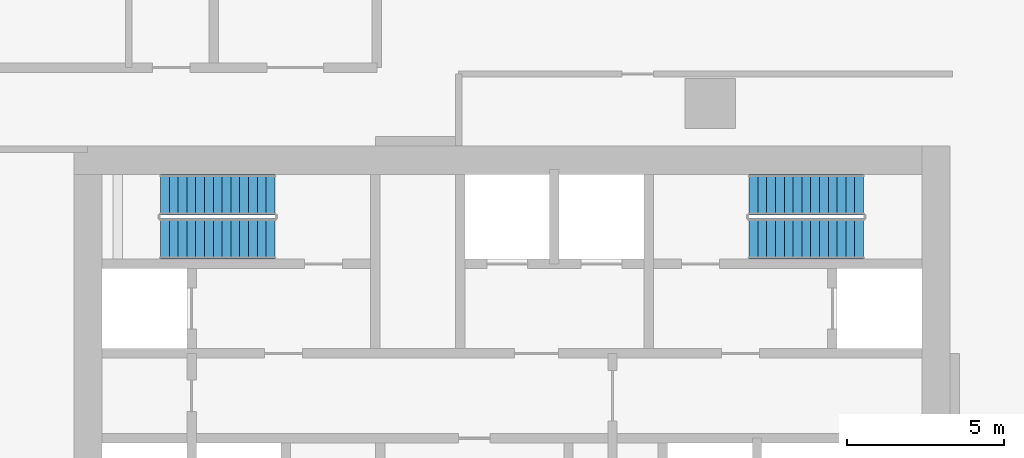
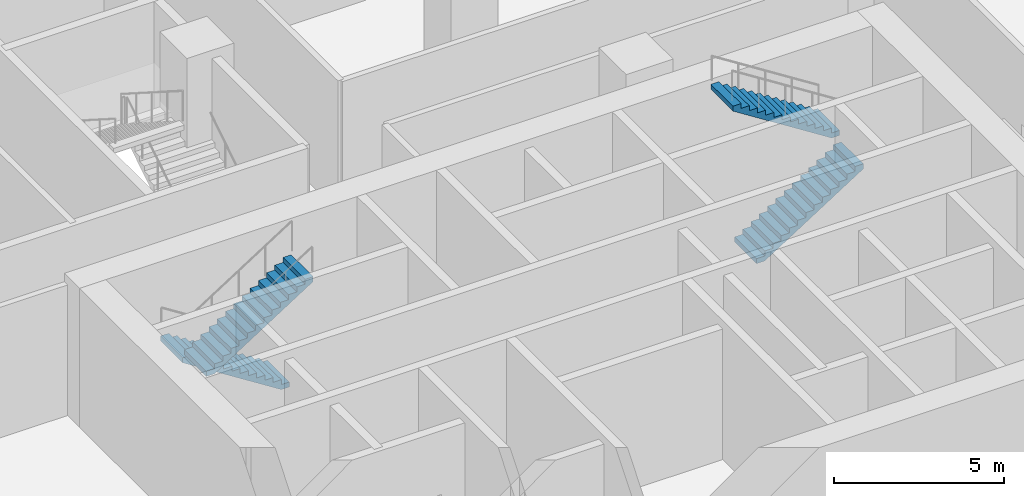
# One storey, part 17 of 35: 4 stair flights, 2 elements without a shape of their own.
"""IFC4 building model written with IfcOpenShell, lengths in metres."""

from ifc_helpers import new_model, si_unit, direction, frame, origin, place, context, subcontext, project, spatial, triangles, source, transform, mapped, material, type_object, element, aggregate, save


model = new_model("IFC4")

# Units and contexts
model_context = context("Model", 3, precision=1e-05, world=origin(), true_north=direction((0.0, 1.0)))
body_context = subcontext(model_context, "Body", "Model", "MODEL_VIEW")
ifc_project = project(units=[si_unit("LENGTHUNIT", "METRE"), si_unit("AREAUNIT", "SQUARE_METRE"), si_unit("VOLUMEUNIT", "CUBIC_METRE"), si_unit("PLANEANGLEUNIT", "RADIAN"), si_unit("MASSUNIT", "GRAM", prefix="KILO")], contexts=[model_context])

# Site, building, storey
site_placement = place(None, origin())
site = spatial("IfcSite", under=ifc_project, at=site_placement, CompositionType="ELEMENT")
building_placement = place(site_placement, origin())
building = spatial("IfcBuilding", under=site, at=building_placement, Name="Ogive Portal Towers", CompositionType="ELEMENT")
storey_placement = place(building_placement, frame((0.0, 0.0, 18.5)))
storey = spatial("IfcBuildingStorey", under=building, at=storey_placement, Name="L03", CompositionType="ELEMENT", Elevation=18.5)

# Stair, stair flights
ifc_material = material(Name="Concrete C40/50", Category="concrete")
stair_type = type_object("IfcStairType", Name="INT-STAIR", PredefinedType="HALF_TURN_STAIR", material=ifc_material)
stair_1_placement = place(storey_placement, origin())
stair_1 = element("IfcStair", 1, at=stair_1_placement, inside=storey, type_object=stair_type, Name="L03 Exit Stair ST-A1", PredefinedType="HALF_TURN_STAIR")
stair_flight_type = type_object("IfcStairFlightType", Name="INT-FLIGHT", PredefinedType="STRAIGHT", material=ifc_material)
shared_shape = source(origin(), body_context, "Body", "Tessellation", [
    triangles([(0.0, -0.650146484375, 0.0), (0.0, -0.376220703125, 0.0), (0.0, -0.192626953125, 0.0), (0.0, -0.081298828125, 0.0), (0.0, -0.024169921875, 0.0), (0.0, -0.003173828125, 0.0), (0.0, 0.0, 0.0), (0.0, 0.0029296875, 0.0), (0.0, 0.02392578125, 0.0), (0.0, 0.0810546875, 0.0), (0.0, 0.1923828125, 0.0), (0.0, 0.3759765625, 0.0), (0.0, 0.64990234375, 0.0), (0.0, -0.650146484375, 0.178466796875), (0.0, -0.376220703125, 0.178466796875), (0.0, -0.192626953125, 0.178466796875), (0.0, -0.081298828125, 0.178466796875), (0.0, -0.024169921875, 0.178466796875), (0.0, -0.003173828125, 0.178466796875), (0.0, 0.0, 0.178466796875), (0.0, 0.0029296875, 0.178466796875), (0.0, 0.02392578125, 0.178466796875), (0.0, 0.0810546875, 0.178466796875), (0.0, 0.1923828125, 0.178466796875), (0.0, 0.3759765625, 0.178466796875), (0.0, 0.64990234375, 0.178466796875), (0.280029296875, -0.650146484375, 0.178466796875), (0.280029296875, -0.376220703125, 0.178466796875), (0.280029296875, -0.192626953125, 0.178466796875), (0.280029296875, -0.081298828125, 0.178466796875), (0.280029296875, -0.024169921875, 0.178466796875), (0.280029296875, -0.003173828125, 0.178466796875), (0.280029296875, 0.0, 0.178466796875), (0.280029296875, 0.0029296875, 0.178466796875), (0.280029296875, 0.02392578125, 0.178466796875), (0.280029296875, 0.0810546875, 0.178466796875), (0.280029296875, 0.1923828125, 0.178466796875), (0.280029296875, 0.3759765625, 0.178466796875), (0.280029296875, 0.64990234375, 0.178466796875), (0.280029296875, -0.650146484375, 0.357177734375), (0.280029296875, -0.376220703125, 0.357177734375), (0.280029296875, -0.192626953125, 0.357177734375), (0.280029296875, -0.081298828125, 0.357177734375), (0.280029296875, -0.024169921875, 0.357177734375), (0.280029296875, -0.003173828125, 0.357177734375), (0.280029296875, 0.0, 0.357177734375), (0.280029296875, 0.0029296875, 0.357177734375), (0.280029296875, 0.02392578125, 0.357177734375), (0.280029296875, 0.0810546875, 0.357177734375), (0.280029296875, 0.1923828125, 0.357177734375), (0.280029296875, 0.3759765625, 0.357177734375), (0.280029296875, 0.64990234375, 0.357177734375), (0.56005859375, -0.650146484375, 0.357177734375), (0.56005859375, -0.376220703125, 0.357177734375), (0.56005859375, -0.192626953125, 0.357177734375), (0.56005859375, -0.081298828125, 0.357177734375), (0.56005859375, -0.024169921875, 0.357177734375), (0.56005859375, -0.003173828125, 0.357177734375), (0.56005859375, 0.0, 0.357177734375), (0.56005859375, 0.0029296875, 0.357177734375), (0.56005859375, 0.02392578125, 0.357177734375), (0.56005859375, 0.0810546875, 0.357177734375), (0.56005859375, 0.1923828125, 0.357177734375), (0.56005859375, 0.3759765625, 0.357177734375), (0.56005859375, 0.64990234375, 0.357177734375), (0.56005859375, -0.650146484375, 0.53564453125), (0.56005859375, -0.376220703125, 0.53564453125), (0.56005859375, -0.192626953125, 0.53564453125), (0.56005859375, -0.081298828125, 0.53564453125), (0.56005859375, -0.024169921875, 0.53564453125), (0.56005859375, -0.003173828125, 0.53564453125), (0.56005859375, 0.0, 0.53564453125), (0.56005859375, 0.0029296875, 0.53564453125), (0.56005859375, 0.02392578125, 0.53564453125), (0.56005859375, 0.0810546875, 0.53564453125), (0.56005859375, 0.1923828125, 0.53564453125), (0.56005859375, 0.3759765625, 0.53564453125), (0.56005859375, 0.64990234375, 0.53564453125), (0.840087890625, -0.650146484375, 0.53564453125), (0.840087890625, -0.376220703125, 0.53564453125), (0.840087890625, -0.192626953125, 0.53564453125), (0.840087890625, -0.081298828125, 0.53564453125), (0.840087890625, -0.024169921875, 0.53564453125), (0.840087890625, -0.003173828125, 0.53564453125), (0.840087890625, 0.0, 0.53564453125), (0.840087890625, 0.0029296875, 0.53564453125), (0.840087890625, 0.02392578125, 0.53564453125), (0.840087890625, 0.0810546875, 0.53564453125), (0.840087890625, 0.1923828125, 0.53564453125), (0.840087890625, 0.3759765625, 0.53564453125), (0.840087890625, 0.64990234375, 0.53564453125), (0.840087890625, -0.650146484375, 0.71435546875), (0.840087890625, -0.376220703125, 0.71435546875), (0.840087890625, -0.192626953125, 0.71435546875), (0.840087890625, -0.081298828125, 0.71435546875), (0.840087890625, -0.024169921875, 0.71435546875), (0.840087890625, -0.003173828125, 0.71435546875), (0.840087890625, 0.0, 0.71435546875), (0.840087890625, 0.0029296875, 0.71435546875), (0.840087890625, 0.02392578125, 0.71435546875), (0.840087890625, 0.0810546875, 0.71435546875), (0.840087890625, 0.1923828125, 0.71435546875), (0.840087890625, 0.3759765625, 0.71435546875), (0.840087890625, 0.64990234375, 0.71435546875), (1.1201171875, -0.650146484375, 0.71435546875), (1.1201171875, -0.376220703125, 0.71435546875), (1.1201171875, -0.192626953125, 0.71435546875), (1.1201171875, -0.081298828125, 0.71435546875), (1.1201171875, -0.024169921875, 0.71435546875), (1.1201171875, -0.003173828125, 0.71435546875), (1.1201171875, 0.0, 0.71435546875), (1.1201171875, 0.0029296875, 0.71435546875), (1.1201171875, 0.02392578125, 0.71435546875), (1.1201171875, 0.0810546875, 0.71435546875), (1.1201171875, 0.1923828125, 0.71435546875), (1.1201171875, 0.3759765625, 0.71435546875), (1.1201171875, 0.64990234375, 0.71435546875), (1.1201171875, -0.650146484375, 0.892822265625), (1.1201171875, -0.376220703125, 0.892822265625), (1.1201171875, -0.192626953125, 0.892822265625), (1.1201171875, -0.081298828125, 0.892822265625), (1.1201171875, -0.024169921875, 0.892822265625), (1.1201171875, -0.003173828125, 0.892822265625), (1.1201171875, 0.0, 0.892822265625), (1.1201171875, 0.0029296875, 0.892822265625), (1.1201171875, 0.02392578125, 0.892822265625), (1.1201171875, 0.0810546875, 0.892822265625), (1.1201171875, 0.1923828125, 0.892822265625), (1.1201171875, 0.3759765625, 0.892822265625), (1.1201171875, 0.64990234375, 0.892822265625), (1.39990234375, -0.650146484375, 0.892822265625), (1.39990234375, -0.376220703125, 0.892822265625), (1.39990234375, -0.192626953125, 0.892822265625), (1.39990234375, -0.081298828125, 0.892822265625), (1.39990234375, -0.024169921875, 0.892822265625), (1.39990234375, -0.003173828125, 0.892822265625), (1.39990234375, 0.0, 0.892822265625), (1.39990234375, 0.0029296875, 0.892822265625), (1.39990234375, 0.02392578125, 0.892822265625), (1.39990234375, 0.0810546875, 0.892822265625), (1.39990234375, 0.1923828125, 0.892822265625), (1.39990234375, 0.3759765625, 0.892822265625), (1.39990234375, 0.64990234375, 0.892822265625), (1.39990234375, -0.650146484375, 1.071533203125), (1.39990234375, -0.376220703125, 1.071533203125), (1.39990234375, -0.192626953125, 1.071533203125), (1.39990234375, -0.081298828125, 1.071533203125), (1.39990234375, -0.024169921875, 1.071533203125), (1.39990234375, -0.003173828125, 1.071533203125), (1.39990234375, 0.0, 1.071533203125), (1.39990234375, 0.0029296875, 1.071533203125), (1.39990234375, 0.02392578125, 1.071533203125), (1.39990234375, 0.0810546875, 1.071533203125), (1.39990234375, 0.1923828125, 1.071533203125), (1.39990234375, 0.3759765625, 1.071533203125), (1.39990234375, 0.64990234375, 1.071533203125), (1.679931640625, -0.650146484375, 1.071533203125), (1.679931640625, -0.376220703125, 1.071533203125), (1.679931640625, -0.192626953125, 1.071533203125), (1.679931640625, -0.081298828125, 1.071533203125), (1.679931640625, -0.024169921875, 1.071533203125), (1.679931640625, -0.003173828125, 1.071533203125), (1.679931640625, 0.0, 1.071533203125), (1.679931640625, 0.0029296875, 1.071533203125), (1.679931640625, 0.02392578125, 1.071533203125), (1.679931640625, 0.0810546875, 1.071533203125), (1.679931640625, 0.1923828125, 1.071533203125), (1.679931640625, 0.3759765625, 1.071533203125), (1.679931640625, 0.64990234375, 1.071533203125), (1.679931640625, -0.650146484375, 1.25), (1.679931640625, -0.376220703125, 1.25), (1.679931640625, -0.192626953125, 1.25), (1.679931640625, -0.081298828125, 1.25), (1.679931640625, -0.024169921875, 1.25), (1.679931640625, -0.003173828125, 1.25), (1.679931640625, 0.0, 1.25), (1.679931640625, 0.0029296875, 1.25), (1.679931640625, 0.02392578125, 1.25), (1.679931640625, 0.0810546875, 1.25), (1.679931640625, 0.1923828125, 1.25), (1.679931640625, 0.3759765625, 1.25), (1.679931640625, 0.64990234375, 1.25), (1.9599609375, -0.650146484375, 1.25), (1.9599609375, -0.376220703125, 1.25), (1.9599609375, -0.192626953125, 1.25), (1.9599609375, -0.081298828125, 1.25), (1.9599609375, -0.024169921875, 1.25), (1.9599609375, -0.003173828125, 1.25), (1.9599609375, 0.0, 1.25), (1.9599609375, 0.0029296875, 1.25), (1.9599609375, 0.02392578125, 1.25), (1.9599609375, 0.0810546875, 1.25), (1.9599609375, 0.1923828125, 1.25), (1.9599609375, 0.3759765625, 1.25), (1.9599609375, 0.64990234375, 1.25), (1.9599609375, -0.650146484375, 1.428466796875), (1.9599609375, -0.376220703125, 1.428466796875), (1.9599609375, -0.192626953125, 1.428466796875), (1.9599609375, -0.081298828125, 1.428466796875), (1.9599609375, -0.024169921875, 1.428466796875), (1.9599609375, -0.003173828125, 1.428466796875), (1.9599609375, 0.0, 1.428466796875), (1.9599609375, 0.0029296875, 1.428466796875), (1.9599609375, 0.02392578125, 1.428466796875), (1.9599609375, 0.0810546875, 1.428466796875), (1.9599609375, 0.1923828125, 1.428466796875), (1.9599609375, 0.3759765625, 1.428466796875), (1.9599609375, 0.64990234375, 1.428466796875), (2.239990234375, -0.650146484375, 1.428466796875), (2.239990234375, -0.376220703125, 1.428466796875), (2.239990234375, -0.192626953125, 1.428466796875), (2.239990234375, -0.081298828125, 1.428466796875), (2.239990234375, -0.024169921875, 1.428466796875), (2.239990234375, -0.003173828125, 1.428466796875), (2.239990234375, 0.0, 1.428466796875), (2.239990234375, 0.0029296875, 1.428466796875), (2.239990234375, 0.02392578125, 1.428466796875), (2.239990234375, 0.0810546875, 1.428466796875), (2.239990234375, 0.1923828125, 1.428466796875), (2.239990234375, 0.3759765625, 1.428466796875), (2.239990234375, 0.64990234375, 1.428466796875), (2.239990234375, -0.650146484375, 1.607177734375), (2.239990234375, -0.376220703125, 1.607177734375), (2.239990234375, -0.192626953125, 1.607177734375), (2.239990234375, -0.081298828125, 1.607177734375), (2.239990234375, -0.024169921875, 1.607177734375), (2.239990234375, -0.003173828125, 1.607177734375), (2.239990234375, 0.0, 1.607177734375), (2.239990234375, 0.0029296875, 1.607177734375), (2.239990234375, 0.02392578125, 1.607177734375), (2.239990234375, 0.0810546875, 1.607177734375), (2.239990234375, 0.1923828125, 1.607177734375), (2.239990234375, 0.3759765625, 1.607177734375), (2.239990234375, 0.64990234375, 1.607177734375), (2.52001953125, -0.650146484375, 1.607177734375), (2.52001953125, -0.376220703125, 1.607177734375), (2.52001953125, -0.192626953125, 1.607177734375), (2.52001953125, -0.081298828125, 1.607177734375), (2.52001953125, -0.024169921875, 1.607177734375), (2.52001953125, -0.003173828125, 1.607177734375), (2.52001953125, 0.0, 1.607177734375), (2.52001953125, 0.0029296875, 1.607177734375), (2.52001953125, 0.02392578125, 1.607177734375), (2.52001953125, 0.0810546875, 1.607177734375), (2.52001953125, 0.1923828125, 1.607177734375), (2.52001953125, 0.3759765625, 1.607177734375), (2.52001953125, 0.64990234375, 1.607177734375), (2.52001953125, -0.650146484375, 1.78564453125), (2.52001953125, -0.376220703125, 1.78564453125), (2.52001953125, -0.192626953125, 1.78564453125), (2.52001953125, -0.081298828125, 1.78564453125), (2.52001953125, -0.024169921875, 1.78564453125), (2.52001953125, -0.003173828125, 1.78564453125), (2.52001953125, 0.0, 1.78564453125), (2.52001953125, 0.0029296875, 1.78564453125), (2.52001953125, 0.02392578125, 1.78564453125), (2.52001953125, 0.0810546875, 1.78564453125), (2.52001953125, 0.1923828125, 1.78564453125), (2.52001953125, 0.3759765625, 1.78564453125), (2.52001953125, 0.64990234375, 1.78564453125), (2.800048828125, -0.650146484375, 1.78564453125), (2.800048828125, -0.376220703125, 1.78564453125), (2.800048828125, -0.192626953125, 1.78564453125), (2.800048828125, -0.081298828125, 1.78564453125), (2.800048828125, -0.024169921875, 1.78564453125), (2.800048828125, -0.003173828125, 1.78564453125), (2.800048828125, 0.0, 1.78564453125), (2.800048828125, 0.0029296875, 1.78564453125), (2.800048828125, 0.02392578125, 1.78564453125), (2.800048828125, 0.0810546875, 1.78564453125), (2.800048828125, 0.1923828125, 1.78564453125), (2.800048828125, 0.3759765625, 1.78564453125), (2.800048828125, 0.64990234375, 1.78564453125), (2.800048828125, -0.650146484375, 1.96435546875), (2.800048828125, -0.376220703125, 1.96435546875), (2.800048828125, -0.192626953125, 1.96435546875), (2.800048828125, -0.081298828125, 1.96435546875), (2.800048828125, -0.024169921875, 1.96435546875), (2.800048828125, -0.003173828125, 1.96435546875), (2.800048828125, 0.0, 1.96435546875), (2.800048828125, 0.0029296875, 1.96435546875), (2.800048828125, 0.02392578125, 1.96435546875), (2.800048828125, 0.0810546875, 1.96435546875), (2.800048828125, 0.1923828125, 1.96435546875), (2.800048828125, 0.3759765625, 1.96435546875), (2.800048828125, 0.64990234375, 1.96435546875), (3.080078125, -0.650146484375, 1.96435546875), (3.080078125, -0.376220703125, 1.96435546875), (3.080078125, -0.192626953125, 1.96435546875), (3.080078125, -0.081298828125, 1.96435546875), (3.080078125, -0.024169921875, 1.96435546875), (3.080078125, -0.003173828125, 1.96435546875), (3.080078125, 0.0, 1.96435546875), (3.080078125, 0.0029296875, 1.96435546875), (3.080078125, 0.02392578125, 1.96435546875), (3.080078125, 0.0810546875, 1.96435546875), (3.080078125, 0.1923828125, 1.96435546875), (3.080078125, 0.3759765625, 1.96435546875), (3.080078125, 0.64990234375, 1.96435546875), (3.080078125, -0.650146484375, 2.142822265625), (3.080078125, -0.376220703125, 2.142822265625), (3.080078125, -0.192626953125, 2.142822265625), (3.080078125, -0.081298828125, 2.142822265625), (3.080078125, -0.024169921875, 2.142822265625), (3.080078125, -0.003173828125, 2.142822265625), (3.080078125, 0.0, 2.142822265625), (3.080078125, 0.0029296875, 2.142822265625), (3.080078125, 0.02392578125, 2.142822265625), (3.080078125, 0.0810546875, 2.142822265625), (3.080078125, 0.1923828125, 2.142822265625), (3.080078125, 0.3759765625, 2.142822265625), (3.080078125, 0.64990234375, 2.142822265625), (3.360107421875, -0.650146484375, 2.142822265625), (3.360107421875, -0.376220703125, 2.142822265625), (3.360107421875, -0.192626953125, 2.142822265625), (3.360107421875, -0.081298828125, 2.142822265625), (3.360107421875, -0.024169921875, 2.142822265625), (3.360107421875, -0.003173828125, 2.142822265625), (3.360107421875, 0.0, 2.142822265625), (3.360107421875, 0.0029296875, 2.142822265625), (3.360107421875, 0.02392578125, 2.142822265625), (3.360107421875, 0.0810546875, 2.142822265625), (3.360107421875, 0.1923828125, 2.142822265625), (3.360107421875, 0.3759765625, 2.142822265625), (3.360107421875, 0.64990234375, 2.142822265625), (3.360107421875, -0.650146484375, 2.321533203125), (3.360107421875, -0.376220703125, 2.321533203125), (3.360107421875, -0.192626953125, 2.321533203125), (3.360107421875, -0.081298828125, 2.321533203125), (3.360107421875, -0.024169921875, 2.321533203125), (3.360107421875, -0.003173828125, 2.321533203125), (3.360107421875, 0.0, 2.321533203125), (3.360107421875, 0.0029296875, 2.321533203125), (3.360107421875, 0.02392578125, 2.321533203125), (3.360107421875, 0.0810546875, 2.321533203125), (3.360107421875, 0.1923828125, 2.321533203125), (3.360107421875, 0.3759765625, 2.321533203125), (3.360107421875, 0.64990234375, 2.321533203125), (3.639892578125, -0.650146484375, 2.321533203125), (3.639892578125, -0.376220703125, 2.321533203125), (3.639892578125, -0.192626953125, 2.321533203125), (3.639892578125, -0.081298828125, 2.321533203125), (3.639892578125, -0.024169921875, 2.321533203125), (3.639892578125, -0.003173828125, 2.321533203125), (3.639892578125, 0.0, 2.321533203125), (3.639892578125, 0.0029296875, 2.321533203125), (3.639892578125, 0.02392578125, 2.321533203125), (3.639892578125, 0.0810546875, 2.321533203125), (3.639892578125, 0.1923828125, 2.321533203125), (3.639892578125, 0.3759765625, 2.321533203125), (3.639892578125, 0.64990234375, 2.321533203125), (3.639892578125, -0.650146484375, 2.1435546875), (3.639892578125, -0.376220703125, 2.1435546875), (3.639892578125, -0.192626953125, 2.1435546875), (3.639892578125, -0.081298828125, 2.1435546875), (3.639892578125, -0.024169921875, 2.1435546875), (3.639892578125, -0.003173828125, 2.1435546875), (3.639892578125, 0.0, 2.1435546875), (3.639892578125, 0.0029296875, 2.1435546875), (3.639892578125, 0.02392578125, 2.1435546875), (3.639892578125, 0.0810546875, 2.1435546875), (3.639892578125, 0.1923828125, 2.1435546875), (3.639892578125, 0.3759765625, 2.1435546875), (3.639892578125, 0.64990234375, 2.1435546875), (0.27880859375, -0.650146484375, 0.0), (0.27880859375, -0.376220703125, 0.0), (0.27880859375, -0.192626953125, 0.0), (0.27880859375, -0.081298828125, 0.0), (0.27880859375, -0.024169921875, 0.0), (0.27880859375, -0.003173828125, 0.0), (0.27880859375, 0.0, 0.0), (0.27880859375, 0.0029296875, 0.0), (0.27880859375, 0.02392578125, 0.0), (0.27880859375, 0.0810546875, 0.0), (0.27880859375, 0.1923828125, 0.0), (0.27880859375, 0.3759765625, 0.0), (0.27880859375, 0.64990234375, 0.0)], [[1, 14, 15], [1, 15, 2], [2, 15, 16], [2, 16, 3], [3, 16, 17], [3, 17, 4], [4, 17, 18], [4, 18, 5], [5, 18, 19], [5, 19, 6], [6, 19, 20], [6, 20, 7], [7, 20, 21], [7, 21, 8], [8, 21, 22], [8, 22, 9], [9, 22, 23], [9, 23, 10], [10, 23, 24], [10, 24, 11], [11, 24, 25], [11, 25, 12], [12, 25, 26], [12, 26, 13], [14, 27, 28], [14, 28, 15], [15, 28, 29], [15, 29, 16], [16, 29, 30], [16, 30, 17], [17, 30, 31], [17, 31, 18], [18, 31, 32], [18, 32, 19], [19, 32, 33], [19, 33, 20], [20, 33, 34], [20, 34, 21], [21, 34, 35], [21, 35, 22], [22, 35, 36], [22, 36, 23], [23, 36, 37], [23, 37, 24], [24, 37, 38], [24, 38, 25], [25, 38, 39], [25, 39, 26], [27, 40, 41], [27, 41, 28], [28, 41, 42], [28, 42, 29], [29, 42, 43], [29, 43, 30], [30, 43, 44], [30, 44, 31], [31, 44, 45], [31, 45, 32], [32, 45, 46], [32, 46, 33], [33, 46, 47], [33, 47, 34], [34, 47, 48], [34, 48, 35], [35, 48, 49], [35, 49, 36], [36, 49, 50], [36, 50, 37], [37, 50, 51], [37, 51, 38], [38, 51, 52], [38, 52, 39], [40, 53, 54], [40, 54, 41], [41, 54, 55], [41, 55, 42], [42, 55, 56], [42, 56, 43], [43, 56, 57], [43, 57, 44], [44, 57, 58], [44, 58, 45], [45, 58, 59], [45, 59, 46], [46, 59, 60], [46, 60, 47], [47, 60, 61], [47, 61, 48], [48, 61, 62], [48, 62, 49], [49, 62, 63], [49, 63, 50], [50, 63, 64], [50, 64, 51], [51, 64, 65], [51, 65, 52], [53, 66, 67], [53, 67, 54], [54, 67, 68], [54, 68, 55], [55, 68, 69], [55, 69, 56], [56, 69, 70], [56, 70, 57], [57, 70, 71], [57, 71, 58], [58, 71, 72], [58, 72, 59], [59, 72, 73], [59, 73, 60], [60, 73, 74], [60, 74, 61], [61, 74, 75], [61, 75, 62], [62, 75, 76], [62, 76, 63], [63, 76, 77], [63, 77, 64], [64, 77, 78], [64, 78, 65], [66, 79, 80], [66, 80, 67], [67, 80, 81], [67, 81, 68], [68, 81, 82], [68, 82, 69], [69, 82, 83], [69, 83, 70], [70, 83, 84], [70, 84, 71], [71, 84, 85], [71, 85, 72], [72, 85, 86], [72, 86, 73], [73, 86, 87], [73, 87, 74], [74, 87, 88], [74, 88, 75], [75, 88, 89], [75, 89, 76], [76, 89, 90], [76, 90, 77], [77, 90, 91], [77, 91, 78], [79, 92, 93], [79, 93, 80], [80, 93, 94], [80, 94, 81], [81, 94, 95], [81, 95, 82], [82, 95, 96], [82, 96, 83], [83, 96, 97], [83, 97, 84], [84, 97, 98], [84, 98, 85], [85, 98, 99], [85, 99, 86], [86, 99, 100], [86, 100, 87], [87, 100, 101], [87, 101, 88], [88, 101, 102], [88, 102, 89], [89, 102, 103], [89, 103, 90], [90, 103, 104], [90, 104, 91], [92, 105, 106], [92, 106, 93], [93, 106, 107], [93, 107, 94], [94, 107, 108], [94, 108, 95], [95, 108, 109], [95, 109, 96], [96, 109, 110], [96, 110, 97], [97, 110, 111], [97, 111, 98], [98, 111, 112], [98, 112, 99], [99, 112, 113], [99, 113, 100], [100, 113, 114], [100, 114, 101], [101, 114, 115], [101, 115, 102], [102, 115, 116], [102, 116, 103], [103, 116, 117], [103, 117, 104], [105, 118, 119], [105, 119, 106], [106, 119, 120], [106, 120, 107], [107, 120, 121], [107, 121, 108], [108, 121, 122], [108, 122, 109], [109, 122, 123], [109, 123, 110], [110, 123, 124], [110, 124, 111], [111, 124, 125], [111, 125, 112], [112, 125, 126], [112, 126, 113], [113, 126, 127], [113, 127, 114], [114, 127, 128], [114, 128, 115], [115, 128, 129], [115, 129, 116], [116, 129, 130], [116, 130, 117], [118, 131, 132], [118, 132, 119], [119, 132, 133], [119, 133, 120], [120, 133, 134], [120, 134, 121], [121, 134, 135], [121, 135, 122], [122, 135, 136], [122, 136, 123], [123, 136, 137], [123, 137, 124], [124, 137, 138], [124, 138, 125], [125, 138, 139], [125, 139, 126], [126, 139, 140], [126, 140, 127], [127, 140, 141], [127, 141, 128], [128, 141, 142], [128, 142, 129], [129, 142, 143], [129, 143, 130], [131, 144, 145], [131, 145, 132], [132, 145, 146], [132, 146, 133], [133, 146, 147], [133, 147, 134], [134, 147, 148], [134, 148, 135], [135, 148, 149], [135, 149, 136], [136, 149, 150], [136, 150, 137], [137, 150, 151], [137, 151, 138], [138, 151, 152], [138, 152, 139], [139, 152, 153], [139, 153, 140], [140, 153, 154], [140, 154, 141], [141, 154, 155], [141, 155, 142], [142, 155, 156], [142, 156, 143], [144, 157, 158], [144, 158, 145], [145, 158, 159], [145, 159, 146], [146, 159, 160], [146, 160, 147], [147, 160, 161], [147, 161, 148], [148, 161, 162], [148, 162, 149], [149, 162, 163], [149, 163, 150], [150, 163, 164], [150, 164, 151], [151, 164, 165], [151, 165, 152], [152, 165, 166], [152, 166, 153], [153, 166, 167], [153, 167, 154], [154, 167, 168], [154, 168, 155], [155, 168, 169], [155, 169, 156], [157, 170, 171], [157, 171, 158], [158, 171, 172], [158, 172, 159], [159, 172, 173], [159, 173, 160], [160, 173, 174], [160, 174, 161], [161, 174, 175], [161, 175, 162], [162, 175, 176], [162, 176, 163], [163, 176, 177], [163, 177, 164], [164, 177, 178], [164, 178, 165], [165, 178, 179], [165, 179, 166], [166, 179, 180], [166, 180, 167], [167, 180, 181], [167, 181, 168], [168, 181, 182], [168, 182, 169], [170, 183, 184], [170, 184, 171], [171, 184, 185], [171, 185, 172], [172, 185, 186], [172, 186, 173], [173, 186, 187], [173, 187, 174], [174, 187, 188], [174, 188, 175], [175, 188, 189], [175, 189, 176], [176, 189, 190], [176, 190, 177], [177, 190, 191], [177, 191, 178], [178, 191, 192], [178, 192, 179], [179, 192, 193], [179, 193, 180], [180, 193, 194], [180, 194, 181], [181, 194, 195], [181, 195, 182], [183, 196, 197], [183, 197, 184], [184, 197, 198], [184, 198, 185], [185, 198, 199], [185, 199, 186], [186, 199, 200], [186, 200, 187], [187, 200, 201], [187, 201, 188], [188, 201, 202], [188, 202, 189], [189, 202, 203], [189, 203, 190], [190, 203, 204], [190, 204, 191], [191, 204, 205], [191, 205, 192], [192, 205, 206], [192, 206, 193], [193, 206, 207], [193, 207, 194], [194, 207, 208], [194, 208, 195], [196, 209, 210], [196, 210, 197], [197, 210, 211], [197, 211, 198], [198, 211, 212], [198, 212, 199], [199, 212, 213], [199, 213, 200], [200, 213, 214], [200, 214, 201], [201, 214, 215], [201, 215, 202], [202, 215, 216], [202, 216, 203], [203, 216, 217], [203, 217, 204], [204, 217, 218], [204, 218, 205], [205, 218, 219], [205, 219, 206], [206, 219, 220], [206, 220, 207], [207, 220, 221], [207, 221, 208], [209, 222, 223], [209, 223, 210], [210, 223, 224], [210, 224, 211], [211, 224, 225], [211, 225, 212], [212, 225, 226], [212, 226, 213], [213, 226, 227], [213, 227, 214], [214, 227, 228], [214, 228, 215], [215, 228, 229], [215, 229, 216], [216, 229, 230], [216, 230, 217], [217, 230, 231], [217, 231, 218], [218, 231, 232], [218, 232, 219], [219, 232, 233], [219, 233, 220], [220, 233, 234], [220, 234, 221], [222, 235, 236], [222, 236, 223], [223, 236, 237], [223, 237, 224], [224, 237, 238], [224, 238, 225], [225, 238, 239], [225, 239, 226], [226, 239, 240], [226, 240, 227], [227, 240, 241], [227, 241, 228], [228, 241, 242], [228, 242, 229], [229, 242, 243], [229, 243, 230], [230, 243, 244], [230, 244, 231], [231, 244, 245], [231, 245, 232], [232, 245, 246], [232, 246, 233], [233, 246, 247], [233, 247, 234], [235, 248, 249], [235, 249, 236], [236, 249, 250], [236, 250, 237], [237, 250, 251], [237, 251, 238], [238, 251, 252], [238, 252, 239], [239, 252, 253], [239, 253, 240], [240, 253, 254], [240, 254, 241], [241, 254, 255], [241, 255, 242], [242, 255, 256], [242, 256, 243], [243, 256, 257], [243, 257, 244], [244, 257, 258], [244, 258, 245], [245, 258, 259], [245, 259, 246], [246, 259, 260], [246, 260, 247], [248, 261, 262], [248, 262, 249], [249, 262, 263], [249, 263, 250], [250, 263, 264], [250, 264, 251], [251, 264, 265], [251, 265, 252], [252, 265, 266], [252, 266, 253], [253, 266, 267], [253, 267, 254], [254, 267, 268], [254, 268, 255], [255, 268, 269], [255, 269, 256], [256, 269, 270], [256, 270, 257], [257, 270, 271], [257, 271, 258], [258, 271, 272], [258, 272, 259], [259, 272, 273], [259, 273, 260], [261, 274, 275], [261, 275, 262], [262, 275, 276], [262, 276, 263], [263, 276, 277], [263, 277, 264], [264, 277, 278], [264, 278, 265], [265, 278, 279], [265, 279, 266], [266, 279, 280], [266, 280, 267], [267, 280, 281], [267, 281, 268], [268, 281, 282], [268, 282, 269], [269, 282, 283], [269, 283, 270], [270, 283, 284], [270, 284, 271], [271, 284, 285], [271, 285, 272], [272, 285, 286], [272, 286, 273], [274, 287, 288], [274, 288, 275], [275, 288, 289], [275, 289, 276], [276, 289, 290], [276, 290, 277], [277, 290, 291], [277, 291, 278], [278, 291, 292], [278, 292, 279], [279, 292, 293], [279, 293, 280], [280, 293, 294], [280, 294, 281], [281, 294, 295], [281, 295, 282], [282, 295, 296], [282, 296, 283], [283, 296, 297], [283, 297, 284], [284, 297, 298], [284, 298, 285], [285, 298, 299], [285, 299, 286], [287, 300, 301], [287, 301, 288], [288, 301, 302], [288, 302, 289], [289, 302, 303], [289, 303, 290], [290, 303, 304], [290, 304, 291], [291, 304, 305], [291, 305, 292], [292, 305, 306], [292, 306, 293], [293, 306, 307], [293, 307, 294], [294, 307, 308], [294, 308, 295], [295, 308, 309], [295, 309, 296], [296, 309, 310], [296, 310, 297], [297, 310, 311], [297, 311, 298], [298, 311, 312], [298, 312, 299], [300, 313, 314], [300, 314, 301], [301, 314, 315], [301, 315, 302], [302, 315, 316], [302, 316, 303], [303, 316, 317], [303, 317, 304], [304, 317, 318], [304, 318, 305], [305, 318, 319], [305, 319, 306], [306, 319, 320], [306, 320, 307], [307, 320, 321], [307, 321, 308], [308, 321, 322], [308, 322, 309], [309, 322, 323], [309, 323, 310], [310, 323, 324], [310, 324, 311], [311, 324, 325], [311, 325, 312], [313, 326, 327], [313, 327, 314], [314, 327, 328], [314, 328, 315], [315, 328, 329], [315, 329, 316], [316, 329, 330], [316, 330, 317], [317, 330, 331], [317, 331, 318], [318, 331, 332], [318, 332, 319], [319, 332, 333], [319, 333, 320], [320, 333, 334], [320, 334, 321], [321, 334, 335], [321, 335, 322], [322, 335, 336], [322, 336, 323], [323, 336, 337], [323, 337, 324], [324, 337, 338], [324, 338, 325], [326, 339, 340], [326, 340, 327], [327, 340, 341], [327, 341, 328], [328, 341, 342], [328, 342, 329], [329, 342, 343], [329, 343, 330], [330, 343, 344], [330, 344, 331], [331, 344, 345], [331, 345, 332], [332, 345, 346], [332, 346, 333], [333, 346, 347], [333, 347, 334], [334, 347, 348], [334, 348, 335], [335, 348, 349], [335, 349, 336], [336, 349, 350], [336, 350, 337], [337, 350, 351], [337, 351, 338], [339, 352, 353], [339, 353, 340], [340, 353, 354], [340, 354, 341], [341, 354, 355], [341, 355, 342], [342, 355, 356], [342, 356, 343], [343, 356, 357], [343, 357, 344], [344, 357, 358], [344, 358, 345], [345, 358, 359], [345, 359, 346], [346, 359, 360], [346, 360, 347], [347, 360, 361], [347, 361, 348], [348, 361, 362], [348, 362, 349], [349, 362, 363], [349, 363, 350], [350, 363, 364], [350, 364, 351], [352, 365, 366], [352, 366, 353], [353, 366, 367], [353, 367, 354], [354, 367, 368], [354, 368, 355], [355, 368, 369], [355, 369, 356], [356, 369, 370], [356, 370, 357], [357, 370, 371], [357, 371, 358], [358, 371, 372], [358, 372, 359], [359, 372, 373], [359, 373, 360], [360, 373, 374], [360, 374, 361], [361, 374, 375], [361, 375, 362], [362, 375, 376], [362, 376, 363], [363, 376, 377], [363, 377, 364], [365, 1, 2], [365, 2, 366], [366, 2, 3], [366, 3, 367], [367, 3, 4], [367, 4, 368], [368, 4, 5], [368, 5, 369], [369, 5, 6], [369, 6, 370], [370, 6, 7], [370, 7, 371], [371, 7, 8], [371, 8, 372], [372, 8, 9], [372, 9, 373], [373, 9, 10], [373, 10, 374], [374, 10, 11], [374, 11, 375], [375, 11, 12], [375, 12, 376], [376, 12, 13], [376, 13, 377], [1, 365, 352], [13, 364, 377], [352, 339, 326], [364, 338, 351], [352, 326, 313], [364, 325, 338], [313, 300, 287], [325, 299, 312], [352, 313, 287], [364, 299, 325], [287, 274, 261], [299, 273, 286], [352, 287, 261], [364, 273, 299], [261, 248, 235], [273, 247, 260], [352, 261, 235], [364, 247, 273], [235, 222, 209], [247, 221, 234], [352, 235, 209], [364, 221, 247], [209, 196, 183], [221, 195, 208], [352, 209, 183], [364, 195, 221], [183, 170, 157], [195, 169, 182], [352, 183, 157], [364, 169, 195], [157, 144, 131], [169, 143, 156], [352, 157, 131], [364, 143, 169], [131, 118, 105], [143, 117, 130], [352, 131, 105], [364, 117, 143], [105, 92, 79], [117, 91, 104], [352, 105, 79], [364, 91, 117], [79, 66, 53], [91, 65, 78], [352, 79, 53], [364, 65, 91], [53, 40, 27], [65, 39, 52], [352, 53, 27], [364, 39, 65], [1, 352, 27], [13, 39, 364], [27, 14, 1], [39, 13, 26]], closed=True),
])
stair_flight_1_placement = place(storey_placement, frame((37.449951171875, 38.39990234375, 0.0), z_axis=(0.0, 0.0, 1.0), x_axis=(-1.0, 0.0, 0.0)))
stair_flight_1 = element("IfcStairFlight", 2, at=stair_flight_1_placement, type_object=stair_flight_type, Name="ST-A1 flight 1", NumberOfRisers=14, NumberOfTreads=13, PredefinedType="STRAIGHT", RiserHeight=0.178571429, TreadLength=0.28, context=body_context, shape_type="MappedRepresentation", body=[
    mapped(shared_shape, transform((0.0, 0.0, 0.0), scale=1.0)),
])
stair_flight_2_placement = place(storey_placement, frame((33.81005859375, 37.0, 2.5), z_axis=(0.0, 0.0, 1.0), x_axis=(1.0, 0.0, 0.0)))
stair_flight_2 = element("IfcStairFlight", 3, at=stair_flight_2_placement, type_object=stair_flight_type, Name="ST-A1 flight 2", NumberOfRisers=14, NumberOfTreads=13, PredefinedType="STRAIGHT", RiserHeight=0.178571429, TreadLength=0.28, context=body_context, shape_type="MappedRepresentation", body=[
    mapped(shared_shape, transform((0.0, 0.0, 0.0), scale=1.0)),
])
aggregate(stair_1, [stair_flight_1, stair_flight_2])

stair_2_placement = place(storey_placement, origin())
stair_2 = element("IfcStair", 4, at=stair_2_placement, inside=storey, type_object=stair_type, Name="L03 Exit Stair ST-A2", PredefinedType="HALF_TURN_STAIR")
stair_flight_3_placement = place(storey_placement, frame((52.550048828125, 37.0, 0.0), z_axis=(0.0, 0.0, 1.0), x_axis=(1.0, 0.0, 0.0)))
stair_flight_3 = element("IfcStairFlight", 5, at=stair_flight_3_placement, type_object=stair_flight_type, Name="ST-A2 flight 1", NumberOfRisers=14, NumberOfTreads=13, PredefinedType="STRAIGHT", RiserHeight=0.178571429, TreadLength=0.28, context=body_context, shape_type="MappedRepresentation", body=[
    mapped(shared_shape, transform((0.0, 0.0, 0.0), scale=1.0)),
])
stair_flight_4_placement = place(storey_placement, frame((56.18994140625, 38.39990234375, 2.5), z_axis=(0.0, 0.0, 1.0), x_axis=(-1.0, 0.0, 0.0)))
stair_flight_4 = element("IfcStairFlight", 6, at=stair_flight_4_placement, type_object=stair_flight_type, Name="ST-A2 flight 2", NumberOfRisers=14, NumberOfTreads=13, PredefinedType="STRAIGHT", RiserHeight=0.178571429, TreadLength=0.28, context=body_context, shape_type="MappedRepresentation", body=[
    mapped(shared_shape, transform((0.0, 0.0, 0.0), scale=1.0)),
])
aggregate(stair_2, [stair_flight_3, stair_flight_4])

save(model, "model.ifc")
